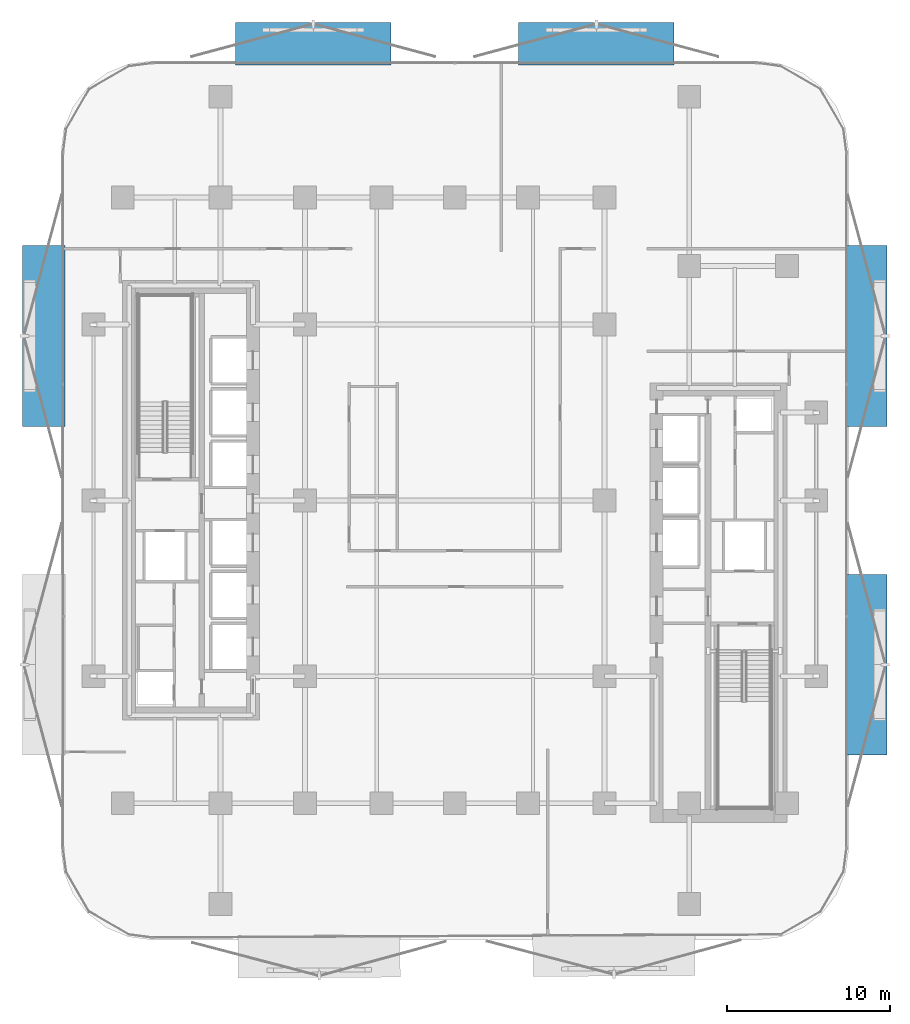
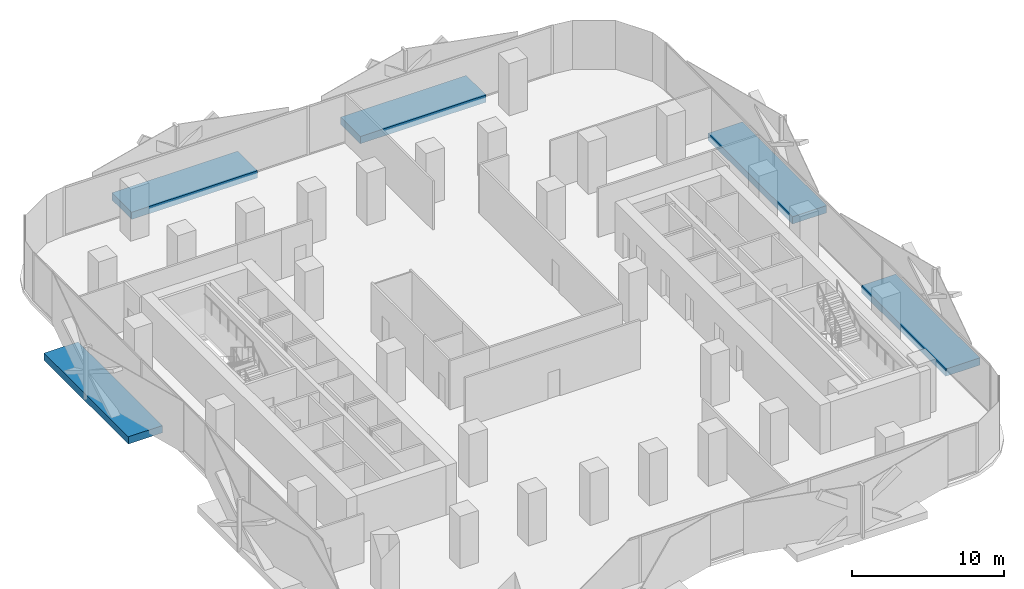
# One storey, part 6 of 15: 5 discrete accessories.
"""IFC4 building model written with IfcOpenShell, lengths in metres."""

from ifc_helpers import new_model, si_unit, direction, frame, origin, origin_2d, place, context, subcontext, project, spatial, rectangle, extrude, material, type_object, element, save


model = new_model("IFC4")

# Units and contexts
model_context = context("Model", 3, precision=1e-05, world=origin(), true_north=direction((0.0, 1.0)))
body_context = subcontext(model_context, "Body", "Model", "MODEL_VIEW")
ifc_project = project(units=[si_unit("LENGTHUNIT", "METRE"), si_unit("AREAUNIT", "SQUARE_METRE"), si_unit("VOLUMEUNIT", "CUBIC_METRE"), si_unit("PLANEANGLEUNIT", "RADIAN"), si_unit("MASSUNIT", "GRAM", prefix="KILO")], contexts=[model_context])

# Site, building, storey
site_placement = place(None, origin())
site = spatial("IfcSite", under=ifc_project, at=site_placement, CompositionType="ELEMENT")
building_placement = place(site_placement, origin())
building = spatial("IfcBuilding", under=site, at=building_placement, Name="Khairoan Windgate Tower", CompositionType="ELEMENT")
storey_placement = place(building_placement, frame((0.0, 0.0, 30.199951171875)))
storey = spatial("IfcBuildingStorey", under=building, at=storey_placement, Name="L07", CompositionType="ELEMENT", Elevation=30.199951171875)

# Discrete accessories
ifc_material = material(Name="Steel S355", Category="steel")
discrete_accessory_type = type_object("IfcDiscreteAccessoryType", Name="Solar Screen Outrigger Slab Bracket SSB-1", PredefinedType="BRACKET", material=ifc_material)
discrete_accessory_placement = place(storey_placement, frame((-25.260009765625, 10.095458984375, -0.419921875), z_axis=(0.0, 0.0, 1.0), x_axis=(0.0, 1.0, 0.0)))
element("IfcDiscreteAccessory", 1, at=discrete_accessory_placement, inside=storey, type_object=discrete_accessory_type, Name="L07 Solar Screen Outrigger Bracket 12", PredefinedType="BRACKET", context=body_context, shape_type="SweptSolid", body=[
    extrude(rectangle(XDim=11.10498046875, YDim=2.60009765625, at=origin_2d()), origin(), (0.0, 0.0, 1.0), 0.580078125),
])
for number, where, z_axis, x_axis, name in (
    (2, (-8.6953125, 28.06005859375, -0.419921875), (0.0, 0.0, 1.0), (1.0, 0.0, 0.0), "L07 Solar Screen Outrigger Bracket 13"),
    (3, (8.6953125, 28.06005859375, -0.419921875), (0.0, 0.0, 1.0), (1.0, 0.0, 0.0), "L07 Solar Screen Outrigger Bracket 14"),
):
    element("IfcDiscreteAccessory", number, at=place(storey_placement, frame(where, z_axis=z_axis, x_axis=x_axis)), inside=storey, type_object=discrete_accessory_type, Name=name, PredefinedType="BRACKET", context=body_context, shape_type="SweptSolid", body=[
        extrude(rectangle(XDim=9.56494140625, YDim=2.60009765625, at=origin_2d()), origin(), (0.0, 0.0, 1.0), 0.580078125),
    ])
for number, where, z_axis, x_axis, name in (
    (4, (25.260009765625, 10.095458984375, -0.419921875), (0.0, 0.0, 1.0), (0.0, -1.0, 0.0), "L07 Solar Screen Outrigger Bracket 15"),
    (5, (25.260009765625, -10.095458984375, -0.419921875), (0.0, 0.0, 1.0), (0.0, -1.0, 0.0), "L07 Solar Screen Outrigger Bracket 16"),
):
    element("IfcDiscreteAccessory", number, at=place(storey_placement, frame(where, z_axis=z_axis, x_axis=x_axis)), inside=storey, type_object=discrete_accessory_type, Name=name, PredefinedType="BRACKET", context=body_context, shape_type="SweptSolid", body=[
        extrude(rectangle(XDim=11.10498046875, YDim=2.60009765625, at=origin_2d()), origin(), (0.0, 0.0, 1.0), 0.580078125),
    ])

save(model, "model.ifc")
